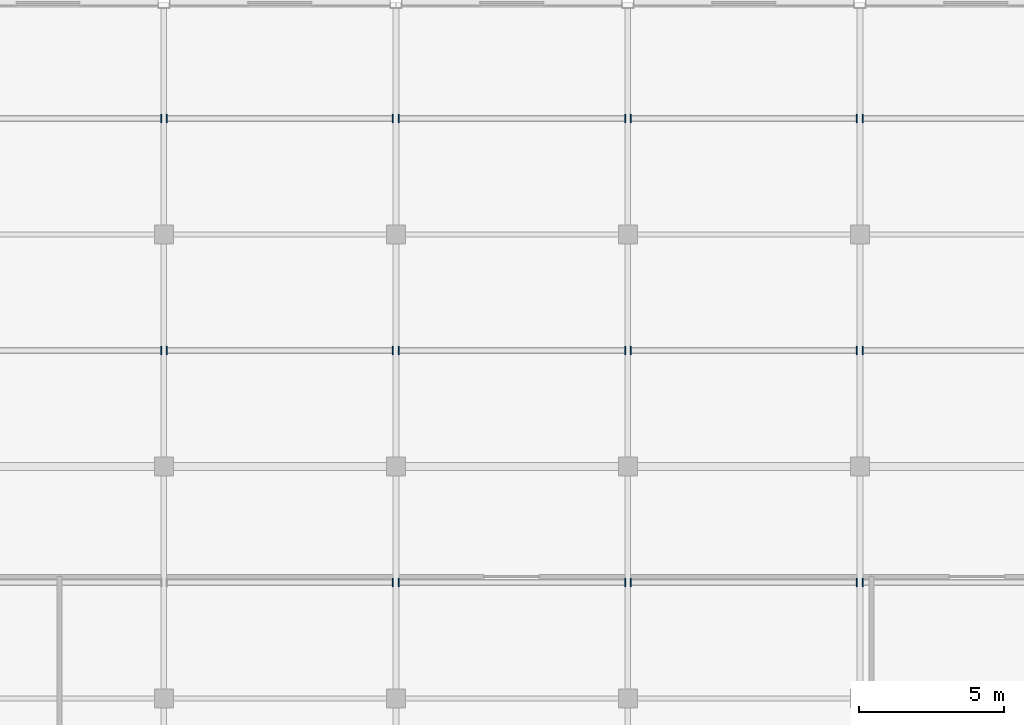
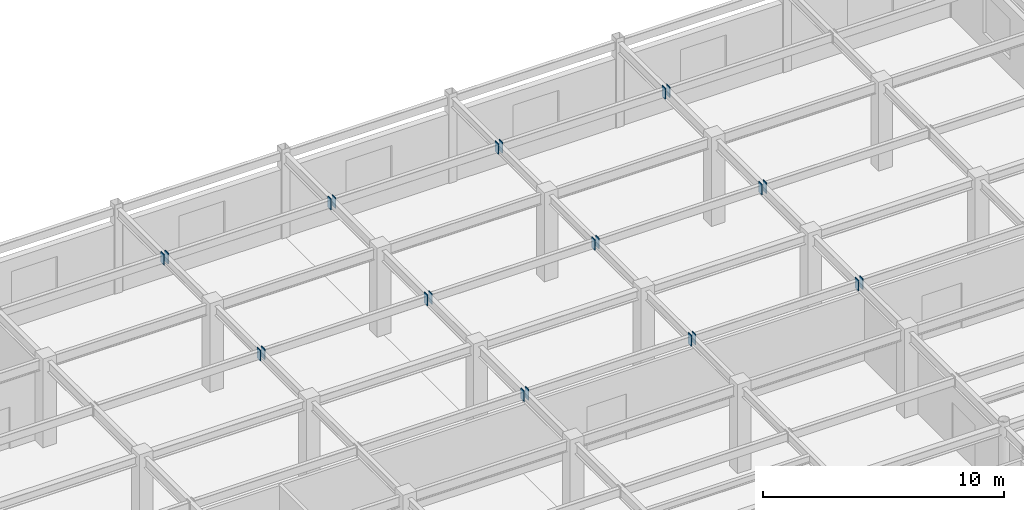
# One storey, part 75 of 93: 22 discrete accessories.
"""IFC4 building model written with IfcOpenShell, lengths in metres."""

from ifc_helpers import new_model, si_unit, direction, frame, origin, origin_2d, place, context, subcontext, project, spatial, rectangle, extrude, material, layer, layer_set, type_object, element, save


model = new_model("IFC4")

# Units and contexts
model_context = context("Model", 3, precision=1e-05, world=origin(), true_north=direction((0.0, 1.0)))
body_context = subcontext(model_context, "Body", "Model", "MODEL_VIEW")
ifc_project = project(units=[si_unit("LENGTHUNIT", "METRE"), si_unit("AREAUNIT", "SQUARE_METRE"), si_unit("VOLUMEUNIT", "CUBIC_METRE"), si_unit("PLANEANGLEUNIT", "RADIAN"), si_unit("MASSUNIT", "GRAM", prefix="KILO")], contexts=[model_context])

# Site, building, storey
site_placement = place(None, origin())
site = spatial("IfcSite", under=ifc_project, at=site_placement, CompositionType="ELEMENT")
building_placement = place(site_placement, origin())
building = spatial("IfcBuilding", under=site, at=building_placement, Name="Solmirada Galleria", CompositionType="ELEMENT")
storey_placement = place(building_placement, frame((0.0, 0.0, 14.89990234375)))
storey = spatial("IfcBuildingStorey", under=building, at=storey_placement, Name="L03", CompositionType="ELEMENT", Elevation=14.89990234375)

# Discrete accessories
ifc_material = material(Name="Steel S355 / ASTM A572 Grade 50", Category="steel")
ifc_layer = layer(ifc_material, 0.031982421875)
ifc_layer_set = layer_set([ifc_layer], Name="Steel S355 / ASTM A572 Grade 50")
discrete_accessory_type = type_object("IfcDiscreteAccessoryType", Name="ACC-COL-CAP", PredefinedType="BRACKET", material=ifc_layer_set)
for number, where, z_axis, x_axis, name in (
    (1, (71.903076171875, 108.0, 3.8271484375), (0.0, 0.0, 1.0), (1.0, 0.0, 0.0), "Hollow joist end plate L04-09-14-R"),
    (2, (71.903076171875, 116.0, 3.8271484375), (0.0, 0.0, 1.0), (1.0, 0.0, 0.0), "Hollow joist end plate L04-09-15-R"),
    (3, (79.89501953125, 100.0, 3.8271484375), (0.0, 0.0, 1.0), (1.0, 0.0, 0.0), "Hollow joist end plate L04-10-13-R"),
    (4, (72.096923828125, 108.0, 3.8271484375), (0.0, 0.0, 1.0), (1.0, 0.0, 0.0), "Hollow joist end plate L04-10-14-L"),
    (5, (79.89501953125, 108.0, 3.8271484375), (0.0, 0.0, 1.0), (1.0, 0.0, 0.0), "Hollow joist end plate L04-10-14-R"),
    (6, (72.096923828125, 116.0, 3.8271484375), (0.0, 0.0, 1.0), (1.0, 0.0, 0.0), "Hollow joist end plate L04-10-15-L"),
    (7, (79.89501953125, 116.0, 3.8271484375), (0.0, 0.0, 1.0), (1.0, 0.0, 0.0), "Hollow joist end plate L04-10-15-R"),
    (8, (80.10498046875, 100.0, 3.8271484375), (0.0, 0.0, 1.0), (1.0, 0.0, 0.0), "Hollow joist end plate L04-11-13-L"),
    (9, (87.903076171875, 100.0, 3.8271484375), (0.0, 0.0, 1.0), (1.0, 0.0, 0.0), "Hollow joist end plate L04-11-13-R"),
    (10, (80.10498046875, 108.0, 3.8271484375), (0.0, 0.0, 1.0), (1.0, 0.0, 0.0), "Hollow joist end plate L04-11-14-L"),
    (11, (87.903076171875, 108.0, 3.8271484375), (0.0, 0.0, 1.0), (1.0, 0.0, 0.0), "Hollow joist end plate L04-11-14-R"),
    (12, (80.10498046875, 116.0, 3.8271484375), (0.0, 0.0, 1.0), (1.0, 0.0, 0.0), "Hollow joist end plate L04-11-15-L"),
    (13, (87.903076171875, 116.0, 3.8271484375), (0.0, 0.0, 1.0), (1.0, 0.0, 0.0), "Hollow joist end plate L04-11-15-R"),
    (14, (88.096923828125, 100.0, 3.8271484375), (0.0, 0.0, 1.0), (1.0, 0.0, 0.0), "Hollow joist end plate L04-12-13-L"),
    (15, (95.89501953125, 100.0, 3.8271484375), (0.0, 0.0, 1.0), (1.0, 0.0, 0.0), "Hollow joist end plate L04-12-13-R"),
    (16, (88.096923828125, 108.0, 3.8271484375), (0.0, 0.0, 1.0), (1.0, 0.0, 0.0), "Hollow joist end plate L04-12-14-L"),
    (17, (95.89501953125, 108.0, 3.8271484375), (0.0, 0.0, 1.0), (1.0, 0.0, 0.0), "Hollow joist end plate L04-12-14-R"),
    (18, (88.096923828125, 116.0, 3.8271484375), (0.0, 0.0, 1.0), (1.0, 0.0, 0.0), "Hollow joist end plate L04-12-15-L"),
    (19, (95.89501953125, 116.0, 3.8271484375), (0.0, 0.0, 1.0), (1.0, 0.0, 0.0), "Hollow joist end plate L04-12-15-R"),
    (20, (96.10498046875, 100.0, 3.8271484375), (0.0, 0.0, 1.0), (1.0, 0.0, 0.0), "Hollow joist end plate L04-13-13-L"),
    (21, (96.10498046875, 108.0, 3.8271484375), (0.0, 0.0, 1.0), (1.0, 0.0, 0.0), "Hollow joist end plate L04-13-14-L"),
    (22, (96.10498046875, 116.0, 3.8271484375), (0.0, 0.0, 1.0), (1.0, 0.0, 0.0), "Hollow joist end plate L04-13-15-L"),
):
    element("IfcDiscreteAccessory", number, at=place(storey_placement, frame(where, z_axis=z_axis, x_axis=x_axis)), inside=storey, type_object=discrete_accessory_type, Name=name, PredefinedType="BRACKET", context=body_context, shape_type="SweptSolid", body=[
        extrude(rectangle(XDim=0.035888671875, YDim=0.280029296875, at=origin_2d()), origin(), (0.0, 0.0, 1.0), 0.5400390625),
    ])

save(model, "model.ifc")
